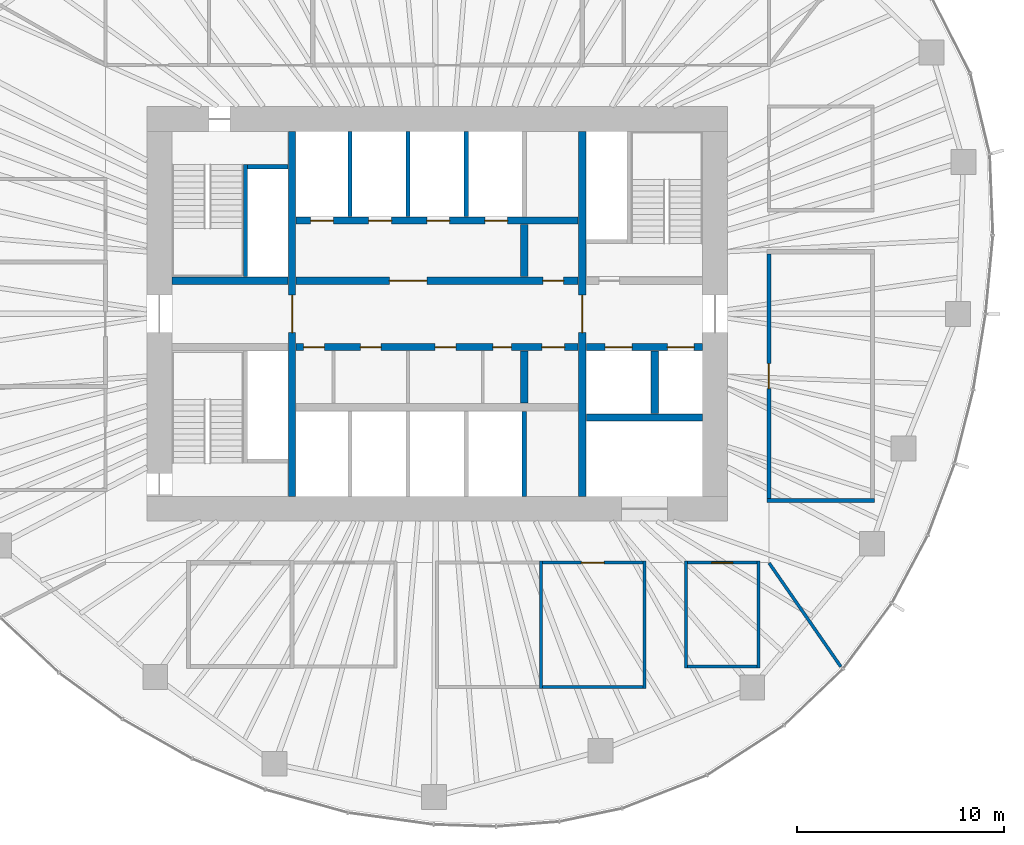
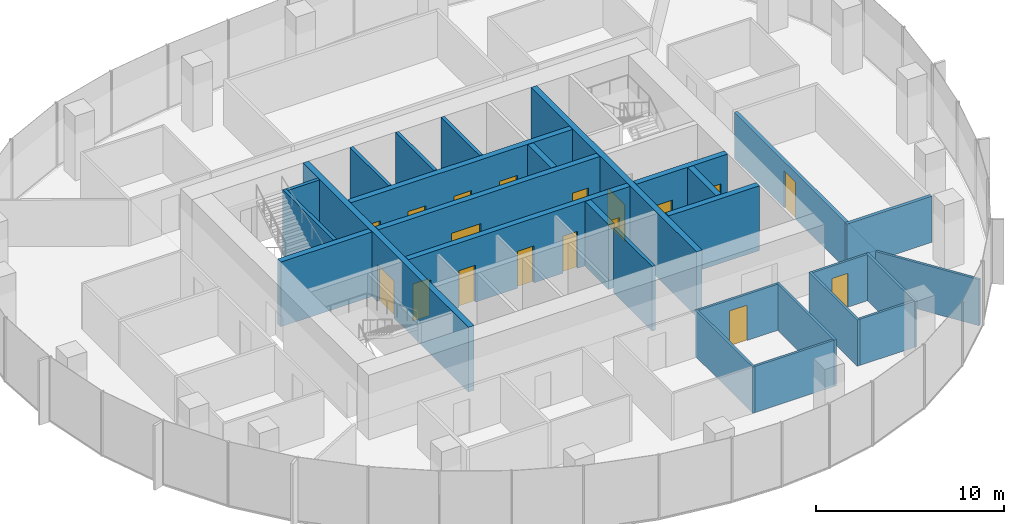
# One storey, part 9 of 11: 28 walls, 18 doors, 18 openings.
"""IFC4 building model written with IfcOpenShell, lengths in metres."""

from ifc_helpers import new_model, si_unit, direction, frame, frame_2d, origin, place, context, subcontext, project, spatial, rectangle, extrude, material, layer, layer_set, type_object, element, fill, save


model = new_model("IFC4")

# Units and contexts
model_context = context("Model", 3, precision=1e-05, world=origin(), true_north=direction((0.0, 1.0)))
body_context = subcontext(model_context, "Body", "Model", "MODEL_VIEW")
ifc_project = project(units=[si_unit("LENGTHUNIT", "METRE"), si_unit("AREAUNIT", "SQUARE_METRE"), si_unit("VOLUMEUNIT", "CUBIC_METRE"), si_unit("PLANEANGLEUNIT", "RADIAN"), si_unit("MASSUNIT", "GRAM", prefix="KILO")], contexts=[model_context])

# Site, building, storey
site_placement = place(None, origin())
site = spatial("IfcSite", under=ifc_project, at=site_placement, CompositionType="ELEMENT")
building_placement = place(site_placement, origin())
building = spatial("IfcBuilding", under=site, at=building_placement, Name="Ghaith Harvest Tower", CompositionType="ELEMENT")
storey_placement = place(building_placement, frame((0.0, 0.0, 257.800048828125)))
storey = spatial("IfcBuildingStorey", under=building, at=storey_placement, Name="L57", CompositionType="ELEMENT", Elevation=257.800048828125)

# Wall
ifc_material_1 = material(Name="Twin-stud gypsum board, acoustic", Category="gypsum")
ifc_layer_1 = layer(ifc_material_1, 0.199951171875)
ifc_layer_set_1 = layer_set([ifc_layer_1], Name="ACOUSTIC PARTITION 200")
wall_type_1 = type_object("IfcWallType", Name="ACOUSTIC PARTITION 200", PredefinedType="PARTITIONING", material=ifc_layer_set_1)
wall_1_placement = place(storey_placement, frame((15.89990234375, -9.0, 0.0), z_axis=(0.0, 0.0, 1.0), x_axis=(1.0, 0.0, 0.0)))
element("IfcWall", 1, at=wall_1_placement, inside=storey, type_object=wall_type_1, Name="Partition L57 row E4 cross wall 1", PredefinedType="PARTITIONING", context=body_context, shape_type="SweptSolid", body=[
    extrude(rectangle(XDim=5.2001953125, YDim=0.199951171875, at=frame_2d((2.60009765625, 0.0))), origin(), (0.0, 0.0, 1.0), 3.0),
])

# Wall, opening, door
wall_2_placement = place(storey_placement, frame((16.0, -8.89990234375, 0.0), z_axis=(0.0, 0.0, 1.0), x_axis=(0.0, 1.0, 0.0)))
wall_2 = element("IfcWall", 2, at=wall_2_placement, inside=storey, type_object=wall_type_1, Name="Partition L57-04", PredefinedType="PARTITIONING", context=body_context, shape_type="SweptSolid", body=[
    extrude(rectangle(XDim=11.7998046875, YDim=0.199951171875, at=frame_2d((5.89990234375, 0.0))), origin(), (0.0, 0.0, 1.0), 3.0),
])
opening_1_placement = place(wall_2_placement, frame((5.300048828125, 0.0, 0.0)))
opening_1 = element("IfcOpeningElement", 3, at=opening_1_placement, cuts=wall_2, Name="Opening 57-025", PredefinedType="OPENING", context=body_context, shape_type="SweptSolid", body=[
    extrude(rectangle(XDim=1.199951171875, YDim=2.39990234375, at=frame_2d((0.60009765625, 1.199951171875))), frame((0.0, 0.10986328125, 0.0), z_axis=(0.0, -1.0, 0.0), x_axis=(1.0, 0.0, 0.0)), (0.0, 0.0, 1.0), 0.219970703125),
])
ifc_material_2 = material(Name="Timber door", Category="wood")
door_type_1 = type_object("IfcDoorType", Name="D11 GLAZED 1200x2400", OperationType="SINGLE_SWING_LEFT", PredefinedType="DOOR", material=ifc_material_2)
door_1_placement = place(opening_1_placement, origin())
door_1 = element("IfcDoor", 4, at=door_1_placement, inside=storey, type_object=door_type_1, Name="Majlis reception room door", OperationType="SINGLE_SWING_LEFT", OverallHeight=2.39990234375, OverallWidth=1.199951171875, PredefinedType="DOOR", context=body_context, shape_type="SweptSolid", body=[
    extrude(rectangle(XDim=1.199951171875, YDim=2.39990234375, at=frame_2d((0.60009765625, 1.199951171875))), frame((0.0, 0.02490234375, 0.0), z_axis=(0.0, -1.0, 0.0), x_axis=(1.0, 0.0, 0.0)), (0.0, 0.0, 1.0), 0.050048828125),
])
fill(opening_1, door_1)

# Walls
ifc_material_3 = material(Name="Concrete blockwork, 2-hour", Category="masonry")
ifc_layer_2 = layer(ifc_material_3, 0.199951171875)
ifc_layer_set_2 = layer_set([ifc_layer_2], Name="LIFT SHAFT WALL 200")
wall_type_2 = type_object("IfcWallType", Name="LIFT SHAFT WALL 200", PredefinedType="PARTITIONING", material=ifc_layer_set_2)
for number, where, z_axis, x_axis, name in (
    (5, (-4.199951171875, 4.699951171875, 0.0), (0.0, 0.0, 1.0), (0.0, 1.0, 0.0), "Lift shaft wall L57"),
    (6, (-1.39990234375, 4.699951171875, 0.0), (0.0, 0.0, 1.0), (0.0, 1.0, 0.0), "Lift shaft wall L57"),
    (7, (1.39990234375, 4.699951171875, 0.0), (0.0, 0.0, 1.0), (0.0, 1.0, 0.0), "Lift shaft wall L57"),
    (8, (4.199951171875, -4.699951171875, 0.0), (0.0, 0.0, 1.0), (0.0, -1.0, 0.0), "Lift shaft wall L57"),
):
    element("IfcWall", number, at=place(storey_placement, frame(where, z_axis=z_axis, x_axis=x_axis)), inside=storey, type_object=wall_type_2, Name=name, PredefinedType="PARTITIONING", context=body_context, shape_type="SweptSolid", body=[
        extrude(rectangle(XDim=4.10009765625, YDim=0.199951171875, at=frame_2d((2.050048828125, 0.0))), origin(), (0.0, 0.0, 1.0), 4.199951171875),
    ])
ifc_material_4 = material(Name="Gypsum board on steel studs", Category="steel")
ifc_layer_3 = layer(ifc_material_4, 0.14990234375)
ifc_layer_set_3 = layer_set([ifc_layer_3], Name="PARTITION 150")
wall_type_3 = type_object("IfcWallType", Name="PARTITION 150", PredefinedType="PARTITIONING", material=ifc_layer_set_3)
for number, where, z_axis, x_axis, name in (
    (9, (5.0, -11.925048828125, 0.0), (0.0, 0.0, 1.0), (0.0, -1.0, 0.0), "Partition L57 row S6 cross wall 2"),
    (10, (10.0, -11.925048828125, 0.0), (0.0, 0.0, 1.0), (0.0, -1.0, 0.0), "Partition L57 row S6 cross wall 3"),
):
    element("IfcWall", number, at=place(storey_placement, frame(where, z_axis=z_axis, x_axis=x_axis)), inside=storey, type_object=wall_type_3, Name=name, PredefinedType="PARTITIONING", context=body_context, shape_type="SweptSolid", body=[
        extrude(rectangle(XDim=6.14990234375, YDim=0.14990234375, at=frame_2d((3.074951171875, 0.0))), origin(), (0.0, 0.0, 1.0), 3.0),
    ])

# Wall, opening, door
wall_3_placement = place(storey_placement, frame((5.074951171875, -12.0, 0.0), z_axis=(0.0, 0.0, 1.0), x_axis=(1.0, 0.0, 0.0)))
wall_3 = element("IfcWall", 11, at=wall_3_placement, inside=storey, type_object=wall_type_3, Name="Partition L57-08", PredefinedType="PARTITIONING", context=body_context, shape_type="SweptSolid", body=[
    extrude(rectangle(XDim=4.85009765625, YDim=0.14990234375, at=frame_2d((2.425048828125, 0.0))), origin(), (0.0, 0.0, 1.0), 3.0),
])
opening_2_placement = place(wall_3_placement, frame((1.875, 0.0, 0.0)))
opening_2 = element("IfcOpeningElement", 12, at=opening_2_placement, cuts=wall_3, Name="Opening 57-029", PredefinedType="OPENING", context=body_context, shape_type="SweptSolid", body=[
    extrude(rectangle(XDim=1.10009765625, YDim=2.300048828125, at=frame_2d((0.550048828125, 1.14990234375))), frame((0.0, 0.0849609375, 0.0), z_axis=(0.0, -1.0, 0.0), x_axis=(1.0, 0.0, 0.0)), (0.0, 0.0, 1.0), 0.169921875),
])
ifc_material_5 = material(Name="Timber-framed glazed door", Category="wood")
door_type_2 = type_object("IfcDoorType", Name="D12 GLAZED OFFICE 1100x2300", OperationType="SINGLE_SWING_LEFT", PredefinedType="DOOR", material=ifc_material_5)
door_2_placement = place(opening_2_placement, origin())
door_2 = element("IfcDoor", 13, at=door_2_placement, inside=storey, type_object=door_type_2, Name="Office door", OperationType="SINGLE_SWING_LEFT", OverallHeight=2.300048828125, OverallWidth=1.10009765625, PredefinedType="DOOR", context=body_context, shape_type="SweptSolid", body=[
    extrude(rectangle(XDim=1.10009765625, YDim=2.300048828125, at=frame_2d((0.550048828125, 1.14990234375))), frame((0.0, 0.02490234375, 0.0), z_axis=(0.0, -1.0, 0.0), x_axis=(1.0, 0.0, 0.0)), (0.0, 0.0, 1.0), 0.050048828125),
])
fill(opening_2, door_2)

# Walls
wall_4_placement = place(storey_placement, frame((5.074951171875, -18.0, 0.0), z_axis=(0.0, 0.0, 1.0), x_axis=(1.0, 0.0, 0.0)))
element("IfcWall", 14, at=wall_4_placement, inside=storey, type_object=wall_type_3, Name="Partition L57-08", PredefinedType="PARTITIONING", context=body_context, shape_type="SweptSolid", body=[
    extrude(rectangle(XDim=4.85009765625, YDim=0.14990234375, at=frame_2d((2.425048828125, 0.0))), origin(), (0.0, 0.0, 1.0), 3.0),
])
for number, where, z_axis, x_axis, name in (
    (15, (12.0, -11.925048828125, 0.0), (0.0, 0.0, 1.0), (0.0, -1.0, 0.0), "Partition L57 row S8 cross wall 1"),
    (16, (15.5, -11.925048828125, 0.0), (0.0, 0.0, 1.0), (0.0, -1.0, 0.0), "Partition L57 row S8 cross wall 2"),
):
    element("IfcWall", number, at=place(storey_placement, frame(where, z_axis=z_axis, x_axis=x_axis)), inside=storey, type_object=wall_type_3, Name=name, PredefinedType="PARTITIONING", context=body_context, shape_type="SweptSolid", body=[
        extrude(rectangle(XDim=5.14990234375, YDim=0.14990234375, at=frame_2d((2.574951171875, 0.0))), origin(), (0.0, 0.0, 1.0), 3.0),
    ])

# Wall, opening, door
wall_5_placement = place(storey_placement, frame((12.074951171875, -12.0, 0.0), z_axis=(0.0, 0.0, 1.0), x_axis=(1.0, 0.0, 0.0)))
wall_5 = element("IfcWall", 17, at=wall_5_placement, inside=storey, type_object=wall_type_3, Name="Partition L57-12", PredefinedType="PARTITIONING", context=body_context, shape_type="SweptSolid", body=[
    extrude(rectangle(XDim=3.35009765625, YDim=0.14990234375, at=frame_2d((1.675048828125, 0.0))), origin(), (0.0, 0.0, 1.0), 3.0),
])
opening_3_placement = place(wall_5_placement, frame((1.175048828125, 0.0, 0.0)))
opening_3 = element("IfcOpeningElement", 18, at=opening_3_placement, cuts=wall_5, Name="Opening 57-033", PredefinedType="OPENING", context=body_context, shape_type="SweptSolid", body=[
    extrude(rectangle(XDim=1.0, YDim=2.199951171875, at=frame_2d((0.5, 1.10009765625))), frame((0.0, 0.0849609375, 0.0), z_axis=(0.0, -1.0, 0.0), x_axis=(1.0, 0.0, 0.0)), (0.0, 0.0, 1.0), 0.169921875),
])
ifc_material_6 = material(Name="Timber door", Category="wood")
door_type_3 = type_object("IfcDoorType", Name="D1 SINGLE 1000x2200", OperationType="SINGLE_SWING_LEFT", PredefinedType="DOOR", material=ifc_material_6)
door_3_placement = place(opening_3_placement, origin())
door_3 = element("IfcDoor", 19, at=door_3_placement, inside=storey, type_object=door_type_3, Name="Store door", OperationType="SINGLE_SWING_LEFT", OverallHeight=2.199951171875, OverallWidth=1.0, PredefinedType="DOOR", context=body_context, shape_type="SweptSolid", body=[
    extrude(rectangle(XDim=1.0, YDim=2.199951171875, at=frame_2d((0.5, 1.10009765625))), frame((0.0, 0.02490234375, 0.0), z_axis=(0.0, -1.0, 0.0), x_axis=(1.0, 0.0, 0.0)), (0.0, 0.0, 1.0), 0.050048828125),
])
fill(opening_3, door_3)

# Walls
wall_6_placement = place(storey_placement, frame((12.074951171875, -17.0, 0.0), z_axis=(0.0, 0.0, 1.0), x_axis=(1.0, 0.0, 0.0)))
element("IfcWall", 20, at=wall_6_placement, inside=storey, type_object=wall_type_3, Name="Partition L57-12", PredefinedType="PARTITIONING", context=body_context, shape_type="SweptSolid", body=[
    extrude(rectangle(XDim=3.35009765625, YDim=0.14990234375, at=frame_2d((1.675048828125, 0.0))), origin(), (0.0, 0.0, 1.0), 3.0),
])
wall_7_placement = place(storey_placement, frame((16.011474609375, -12.016357421875, 0.0), z_axis=(0.0, 0.0, 1.0), x_axis=(0.568863489071, -0.822431961199, 0.0)))
element("IfcWall", 21, at=wall_7_placement, inside=storey, type_object=wall_type_3, Name="Partition L57 zone division", PredefinedType="PARTITIONING", context=body_context, shape_type="SweptSolid", body=[
    extrude(rectangle(XDim=6.0830078125, YDim=0.14990234375, at=frame_2d((3.04150390625, 0.0))), origin(), (0.0, 0.0, 1.0), 3.0),
])

# Wall, opening, door
ifc_material_7 = material(Name="Concrete C60/75", Category="concrete")
ifc_layer_4 = layer(ifc_material_7, 0.35009765625)
ifc_layer_set_4 = layer_set([ifc_layer_4], Name="SHAFT WALL 350")
wall_type_4 = type_object("IfcWallType", Name="SHAFT WALL 350", PredefinedType="SHEAR", material=ifc_layer_set_4)
wall_8_placement = place(storey_placement, frame((-7.0, -8.800048828125, 0.0), z_axis=(0.0, 0.0, 1.0), x_axis=(0.0, 1.0, 0.0)))
wall_8 = element("IfcWall", 22, at=wall_8_placement, inside=storey, type_object=wall_type_4, Name="Shaft wall W7W L57", PredefinedType="SHEAR", context=body_context, shape_type="SweptSolid", body=[
    extrude(rectangle(XDim=17.60009765625, YDim=0.35009765625, at=frame_2d((8.800048828125, 0.0))), origin(), (0.0, 0.0, 1.0), 4.199951171875),
])
opening_4_placement = place(wall_8_placement, frame((7.89990234375, 0.0, 0.0)))
opening_4 = element("IfcOpeningElement", 23, at=opening_4_placement, cuts=wall_8, Name="Opening 57-003", PredefinedType="OPENING", context=body_context, shape_type="SweptSolid", body=[
    extrude(rectangle(XDim=1.800048828125, YDim=2.39990234375, at=frame_2d((0.89990234375, 1.199951171875))), frame((0.0, 0.18505859375, 0.0), z_axis=(0.0, -1.0, 0.0), x_axis=(1.0, 0.0, 0.0)), (0.0, 0.0, 1.0), 0.3701171875),
])
ifc_material_8 = material(Name="Steel fire door", Category="steel")
door_type_4 = type_object("IfcDoorType", Name="D4 FD90 PAIR 1800x2400", OperationType="DOUBLE_DOOR_SINGLE_SWING", PredefinedType="DOOR", material=ifc_material_8)
door_4_placement = place(opening_4_placement, origin())
door_4 = element("IfcDoor", 24, at=door_4_placement, inside=storey, type_object=door_type_4, Name="Lift lobby doors, west", OperationType="DOUBLE_DOOR_SINGLE_SWING", OverallHeight=2.39990234375, OverallWidth=1.800048828125, PredefinedType="DOOR", context=body_context, shape_type="SweptSolid", body=[
    extrude(rectangle(XDim=1.800048828125, YDim=2.39990234375, at=frame_2d((0.89990234375, 1.199951171875))), frame((0.0, 0.02490234375, 0.0), z_axis=(0.0, -1.0, 0.0), x_axis=(1.0, 0.0, 0.0)), (0.0, 0.0, 1.0), 0.050048828125),
])
fill(opening_4, door_4)

wall_9_placement = place(storey_placement, frame((7.0, -8.800048828125, 0.0), z_axis=(0.0, 0.0, 1.0), x_axis=(0.0, 1.0, 0.0)))
wall_9 = element("IfcWall", 25, at=wall_9_placement, inside=storey, type_object=wall_type_4, Name="Shaft wall W7E L57", PredefinedType="SHEAR", context=body_context, shape_type="SweptSolid", body=[
    extrude(rectangle(XDim=17.60009765625, YDim=0.35009765625, at=frame_2d((8.800048828125, 0.0))), origin(), (0.0, 0.0, 1.0), 4.199951171875),
])
opening_5_placement = place(wall_9_placement, frame((7.89990234375, 0.0, 0.0)))
opening_5 = element("IfcOpeningElement", 26, at=opening_5_placement, cuts=wall_9, Name="Opening 57-004", PredefinedType="OPENING", context=body_context, shape_type="SweptSolid", body=[
    extrude(rectangle(XDim=1.800048828125, YDim=2.39990234375, at=frame_2d((0.89990234375, 1.199951171875))), frame((0.0, 0.18505859375, 0.0), z_axis=(0.0, -1.0, 0.0), x_axis=(1.0, 0.0, 0.0)), (0.0, 0.0, 1.0), 0.3701171875),
])
door_5_placement = place(opening_5_placement, origin())
door_5 = element("IfcDoor", 27, at=door_5_placement, inside=storey, type_object=door_type_4, Name="Lift lobby doors, east", OperationType="DOUBLE_DOOR_SINGLE_SWING", OverallHeight=2.39990234375, OverallWidth=1.800048828125, PredefinedType="DOOR", context=body_context, shape_type="SweptSolid", body=[
    extrude(rectangle(XDim=1.800048828125, YDim=2.39990234375, at=frame_2d((0.89990234375, 1.199951171875))), frame((0.0, 0.02490234375, 0.0), z_axis=(0.0, -1.0, 0.0), x_axis=(1.0, 0.0, 0.0)), (0.0, 0.0, 1.0), 0.050048828125),
])
fill(opening_5, door_5)

# Wall, openings, doors
wall_10_placement = place(storey_placement, frame((-6.800048828125, 1.60009765625, 0.0), z_axis=(0.0, 0.0, 1.0), x_axis=(1.0, 0.0, 0.0)))
wall_10 = element("IfcWall", 28, at=wall_10_placement, inside=storey, type_object=wall_type_4, Name="Shaft wall LN L57", PredefinedType="SHEAR", context=body_context, shape_type="SweptSolid", body=[
    extrude(rectangle(XDim=13.60009765625, YDim=0.35009765625, at=frame_2d((6.800048828125, 0.0))), origin(), (0.0, 0.0, 1.0), 4.199951171875),
])
opening_6_placement = place(wall_10_placement, frame((11.89990234375, 0.0, 0.0)))
opening_6 = element("IfcOpeningElement", 29, at=opening_6_placement, cuts=wall_10, Name="Opening 57-012", PredefinedType="OPENING", context=body_context, shape_type="SweptSolid", body=[
    extrude(rectangle(XDim=1.0, YDim=2.39990234375, at=frame_2d((0.5, 1.199951171875))), frame((0.0, 0.18505859375, 0.0), z_axis=(0.0, -1.0, 0.0), x_axis=(1.0, 0.0, 0.0)), (0.0, 0.0, 1.0), 0.3701171875),
])
opening_7_placement = place(wall_10_placement, frame((4.5, 0.0, 0.0)))
opening_7 = element("IfcOpeningElement", 30, at=opening_7_placement, cuts=wall_10, Name="Opening 57-014", PredefinedType="OPENING", context=body_context, shape_type="SweptSolid", body=[
    extrude(rectangle(XDim=1.800048828125, YDim=2.39990234375, at=frame_2d((0.89990234375, 1.199951171875))), frame((0.0, 0.18505859375, 0.0), z_axis=(0.0, -1.0, 0.0), x_axis=(1.0, 0.0, 0.0)), (0.0, 0.0, 1.0), 0.3701171875),
])
ifc_material_9 = material(Name="Steel fire door", Category="steel")
door_type_5 = type_object("IfcDoorType", Name="D3 FD90 1000x2400", OperationType="SINGLE_SWING_LEFT", PredefinedType="DOOR", material=ifc_material_9)
door_6_placement = place(opening_6_placement, origin())
door_6 = element("IfcDoor", 31, at=door_6_placement, inside=storey, type_object=door_type_5, Name="Electrical room door", OperationType="SINGLE_SWING_RIGHT", OverallHeight=2.39990234375, OverallWidth=1.0, PredefinedType="DOOR", context=body_context, shape_type="SweptSolid", body=[
    extrude(rectangle(XDim=1.0, YDim=2.39990234375, at=frame_2d((0.5, 1.199951171875))), frame((0.0, 0.02490234375, 0.0), z_axis=(0.0, -1.0, 0.0), x_axis=(1.0, 0.0, 0.0)), (0.0, 0.0, 1.0), 0.050048828125),
])
fill(opening_6, door_6)
door_7_placement = place(opening_7_placement, origin())
door_7 = element("IfcDoor", 32, at=door_7_placement, inside=storey, type_object=door_type_4, Name="Lift lobby doors, high-rise bank", OperationType="DOUBLE_DOOR_SINGLE_SWING", OverallHeight=2.39990234375, OverallWidth=1.800048828125, PredefinedType="DOOR", context=body_context, shape_type="SweptSolid", body=[
    extrude(rectangle(XDim=1.800048828125, YDim=2.39990234375, at=frame_2d((0.89990234375, 1.199951171875))), frame((0.0, 0.02490234375, 0.0), z_axis=(0.0, -1.0, 0.0), x_axis=(1.0, 0.0, 0.0)), (0.0, 0.0, 1.0), 0.050048828125),
])
fill(opening_7, door_7)

wall_11_placement = place(storey_placement, frame((-6.800048828125, -1.60009765625, 0.0), z_axis=(0.0, 0.0, 1.0), x_axis=(1.0, 0.0, 0.0)))
wall_11 = element("IfcWall", 33, at=wall_11_placement, inside=storey, type_object=wall_type_4, Name="Shaft wall LS L57", PredefinedType="SHEAR", context=body_context, shape_type="SweptSolid", body=[
    extrude(rectangle(XDim=13.60009765625, YDim=0.35009765625, at=frame_2d((6.800048828125, 0.0))), origin(), (0.0, 0.0, 1.0), 4.199951171875),
])
opening_8_placement = place(wall_11_placement, frame((0.364990234375, 0.0, 0.0)))
opening_8 = element("IfcOpeningElement", 34, at=opening_8_placement, cuts=wall_11, Name="Opening 57-008", PredefinedType="OPENING", context=body_context, shape_type="SweptSolid", body=[
    extrude(rectangle(XDim=1.0, YDim=2.39990234375, at=frame_2d((0.5, 1.199951171875))), frame((0.0, 0.18505859375, 0.0), z_axis=(0.0, -1.0, 0.0), x_axis=(1.0, 0.0, 0.0)), (0.0, 0.0, 1.0), 0.3701171875),
])
opening_9_placement = place(wall_11_placement, frame((3.10009765625, 0.0, 0.0)))
opening_9 = element("IfcOpeningElement", 35, at=opening_9_placement, cuts=wall_11, Name="Opening 57-009", PredefinedType="OPENING", context=body_context, shape_type="SweptSolid", body=[
    extrude(rectangle(XDim=1.0, YDim=2.39990234375, at=frame_2d((0.5, 1.199951171875))), frame((0.0, 0.18505859375, 0.0), z_axis=(0.0, -1.0, 0.0), x_axis=(1.0, 0.0, 0.0)), (0.0, 0.0, 1.0), 0.3701171875),
])
opening_10_placement = place(wall_11_placement, frame((6.699951171875, 0.0, 0.0)))
opening_10 = element("IfcOpeningElement", 36, at=opening_10_placement, cuts=wall_11, Name="Opening 57-010", PredefinedType="OPENING", context=body_context, shape_type="SweptSolid", body=[
    extrude(rectangle(XDim=1.0, YDim=2.39990234375, at=frame_2d((0.5, 1.199951171875))), frame((0.0, 0.18505859375, 0.0), z_axis=(0.0, -1.0, 0.0), x_axis=(1.0, 0.0, 0.0)), (0.0, 0.0, 1.0), 0.3701171875),
])
opening_11_placement = place(wall_11_placement, frame((9.485107421875, 0.0, 0.0)))
opening_11 = element("IfcOpeningElement", 37, at=opening_11_placement, cuts=wall_11, Name="Opening 57-011", PredefinedType="OPENING", context=body_context, shape_type="SweptSolid", body=[
    extrude(rectangle(XDim=0.89990234375, YDim=2.39990234375, at=frame_2d((0.449951171875, 1.199951171875))), frame((0.0, 0.18505859375, 0.0), z_axis=(0.0, -1.0, 0.0), x_axis=(1.0, 0.0, 0.0)), (0.0, 0.0, 1.0), 0.3701171875),
])
opening_12_placement = place(wall_11_placement, frame((11.85009765625, 0.0, 0.0)))
opening_12 = element("IfcOpeningElement", 38, at=opening_12_placement, cuts=wall_11, Name="Opening 57-013", PredefinedType="OPENING", context=body_context, shape_type="SweptSolid", body=[
    extrude(rectangle(XDim=1.10009765625, YDim=2.39990234375, at=frame_2d((0.550048828125, 1.199951171875))), frame((0.0, 0.18505859375, 0.0), z_axis=(0.0, -1.0, 0.0), x_axis=(1.0, 0.0, 0.0)), (0.0, 0.0, 1.0), 0.3701171875),
])
door_8_placement = place(opening_8_placement, origin())
door_8 = element("IfcDoor", 39, at=door_8_placement, inside=storey, type_object=door_type_5, Name="Tenant store door", OperationType="SINGLE_SWING_LEFT", OverallHeight=2.39990234375, OverallWidth=1.0, PredefinedType="DOOR", context=body_context, shape_type="SweptSolid", body=[
    extrude(rectangle(XDim=1.0, YDim=2.39990234375, at=frame_2d((0.5, 1.199951171875))), frame((0.0, 0.02490234375, 0.0), z_axis=(0.0, -1.0, 0.0), x_axis=(1.0, 0.0, 0.0)), (0.0, 0.0, 1.0), 0.050048828125),
])
fill(opening_8, door_8)
door_9_placement = place(opening_9_placement, origin())
door_9 = element("IfcDoor", 40, at=door_9_placement, inside=storey, type_object=door_type_5, Name="Female WC door", OperationType="SINGLE_SWING_LEFT", OverallHeight=2.39990234375, OverallWidth=1.0, PredefinedType="DOOR", context=body_context, shape_type="SweptSolid", body=[
    extrude(rectangle(XDim=1.0, YDim=2.39990234375, at=frame_2d((0.5, 1.199951171875))), frame((0.0, 0.02490234375, 0.0), z_axis=(0.0, -1.0, 0.0), x_axis=(1.0, 0.0, 0.0)), (0.0, 0.0, 1.0), 0.050048828125),
])
fill(opening_9, door_9)
door_10_placement = place(opening_10_placement, origin())
door_10 = element("IfcDoor", 41, at=door_10_placement, inside=storey, type_object=door_type_5, Name="Male WC door", OperationType="SINGLE_SWING_RIGHT", OverallHeight=2.39990234375, OverallWidth=1.0, PredefinedType="DOOR", context=body_context, shape_type="SweptSolid", body=[
    extrude(rectangle(XDim=1.0, YDim=2.39990234375, at=frame_2d((0.5, 1.199951171875))), frame((0.0, 0.02490234375, 0.0), z_axis=(0.0, -1.0, 0.0), x_axis=(1.0, 0.0, 0.0)), (0.0, 0.0, 1.0), 0.050048828125),
])
fill(opening_10, door_10)
ifc_material_10 = material(Name="Steel fire door", Category="steel")
door_type_6 = type_object("IfcDoorType", Name="D5 FD90 900x2400", OperationType="SINGLE_SWING_LEFT", PredefinedType="DOOR", material=ifc_material_10)
door_11_placement = place(opening_11_placement, origin())
door_11 = element("IfcDoor", 42, at=door_11_placement, inside=storey, type_object=door_type_6, Name="Cleaner's store door", OperationType="SINGLE_SWING_RIGHT", OverallHeight=2.39990234375, OverallWidth=0.89990234375, PredefinedType="DOOR", context=body_context, shape_type="SweptSolid", body=[
    extrude(rectangle(XDim=0.89990234375, YDim=2.39990234375, at=frame_2d((0.449951171875, 1.199951171875))), frame((0.0, 0.02490234375, 0.0), z_axis=(0.0, -1.0, 0.0), x_axis=(1.0, 0.0, 0.0)), (0.0, 0.0, 1.0), 0.050048828125),
])
fill(opening_11, door_11)
ifc_material_11 = material(Name="Steel fire door", Category="steel")
door_type_7 = type_object("IfcDoorType", Name="D9 FD90 1100x2400", OperationType="SINGLE_SWING_LEFT", PredefinedType="DOOR", material=ifc_material_11)
door_12_placement = place(opening_12_placement, origin())
door_12 = element("IfcDoor", 43, at=door_12_placement, inside=storey, type_object=door_type_7, Name="Accessible WC door", OperationType="SINGLE_SWING_RIGHT", OverallHeight=2.39990234375, OverallWidth=1.10009765625, PredefinedType="DOOR", context=body_context, shape_type="SweptSolid", body=[
    extrude(rectangle(XDim=1.10009765625, YDim=2.39990234375, at=frame_2d((0.550048828125, 1.199951171875))), frame((0.0, 0.02490234375, 0.0), z_axis=(0.0, -1.0, 0.0), x_axis=(1.0, 0.0, 0.0)), (0.0, 0.0, 1.0), 0.050048828125),
])
fill(opening_12, door_12)

wall_12_placement = place(storey_placement, frame((-6.800048828125, 4.5, 0.0), z_axis=(0.0, 0.0, 1.0), x_axis=(1.0, 0.0, 0.0)))
wall_12 = element("IfcWall", 44, at=wall_12_placement, inside=storey, type_object=wall_type_4, Name="Shaft wall BN L57", PredefinedType="SHEAR", context=body_context, shape_type="SweptSolid", body=[
    extrude(rectangle(XDim=13.60009765625, YDim=0.35009765625, at=frame_2d((6.800048828125, 0.0))), origin(), (0.0, 0.0, 1.0), 4.199951171875),
])
opening_13_placement = place(wall_12_placement, frame((0.699951171875, 0.0, 0.0)))
opening_13 = element("IfcOpeningElement", 45, at=opening_13_placement, cuts=wall_12, Name="Opening 57-015", PredefinedType="OPENING", context=body_context, shape_type="SweptSolid", body=[
    extrude(rectangle(XDim=1.10009765625, YDim=2.39990234375, at=frame_2d((0.550048828125, 1.199951171875))), frame((0.0, 0.18505859375, 0.0), z_axis=(0.0, -1.0, 0.0), x_axis=(1.0, 0.0, 0.0)), (0.0, 0.0, 1.0), 0.3701171875),
])
opening_14_placement = place(wall_12_placement, frame((3.5, 0.0, 0.0)))
opening_14 = element("IfcOpeningElement", 46, at=opening_14_placement, cuts=wall_12, Name="Opening 57-016", PredefinedType="OPENING", context=body_context, shape_type="SweptSolid", body=[
    extrude(rectangle(XDim=1.10009765625, YDim=2.39990234375, at=frame_2d((0.550048828125, 1.199951171875))), frame((0.0, 0.18505859375, 0.0), z_axis=(0.0, -1.0, 0.0), x_axis=(1.0, 0.0, 0.0)), (0.0, 0.0, 1.0), 0.3701171875),
])
opening_15_placement = place(wall_12_placement, frame((6.300048828125, 0.0, 0.0)))
opening_15 = element("IfcOpeningElement", 47, at=opening_15_placement, cuts=wall_12, Name="Opening 57-017", PredefinedType="OPENING", context=body_context, shape_type="SweptSolid", body=[
    extrude(rectangle(XDim=1.10009765625, YDim=2.39990234375, at=frame_2d((0.550048828125, 1.199951171875))), frame((0.0, 0.18505859375, 0.0), z_axis=(0.0, -1.0, 0.0), x_axis=(1.0, 0.0, 0.0)), (0.0, 0.0, 1.0), 0.3701171875),
])
opening_16_placement = place(wall_12_placement, frame((9.10009765625, 0.0, 0.0)))
opening_16 = element("IfcOpeningElement", 48, at=opening_16_placement, cuts=wall_12, Name="Opening 57-018", PredefinedType="OPENING", context=body_context, shape_type="SweptSolid", body=[
    extrude(rectangle(XDim=1.10009765625, YDim=2.39990234375, at=frame_2d((0.550048828125, 1.199951171875))), frame((0.0, 0.18505859375, 0.0), z_axis=(0.0, -1.0, 0.0), x_axis=(1.0, 0.0, 0.0)), (0.0, 0.0, 1.0), 0.3701171875),
])
ifc_material_12 = material(Name="Steel fire door", Category="steel")
door_type_8 = type_object("IfcDoorType", Name="LD1 LANDING 1100x2400", OperationType="DOUBLE_DOOR_SLIDING", PredefinedType="DOOR", material=ifc_material_12)
door_13_placement = place(opening_13_placement, origin())
door_13 = element("IfcDoor", 49, at=door_13_placement, inside=storey, type_object=door_type_8, Name="Landing door, lift HR1", OperationType="DOUBLE_DOOR_SLIDING", OverallHeight=2.39990234375, OverallWidth=1.10009765625, PredefinedType="DOOR", context=body_context, shape_type="SweptSolid", body=[
    extrude(rectangle(XDim=1.10009765625, YDim=2.39990234375, at=frame_2d((0.550048828125, 1.199951171875))), frame((0.0, 0.02490234375, 0.0), z_axis=(0.0, -1.0, 0.0), x_axis=(1.0, 0.0, 0.0)), (0.0, 0.0, 1.0), 0.050048828125),
])
fill(opening_13, door_13)
door_14_placement = place(opening_14_placement, origin())
door_14 = element("IfcDoor", 50, at=door_14_placement, inside=storey, type_object=door_type_8, Name="Landing door, lift HR2", OperationType="DOUBLE_DOOR_SLIDING", OverallHeight=2.39990234375, OverallWidth=1.10009765625, PredefinedType="DOOR", context=body_context, shape_type="SweptSolid", body=[
    extrude(rectangle(XDim=1.10009765625, YDim=2.39990234375, at=frame_2d((0.550048828125, 1.199951171875))), frame((0.0, 0.02490234375, 0.0), z_axis=(0.0, -1.0, 0.0), x_axis=(1.0, 0.0, 0.0)), (0.0, 0.0, 1.0), 0.050048828125),
])
fill(opening_14, door_14)
door_15_placement = place(opening_15_placement, origin())
door_15 = element("IfcDoor", 51, at=door_15_placement, inside=storey, type_object=door_type_8, Name="Landing door, lift HR3", OperationType="DOUBLE_DOOR_SLIDING", OverallHeight=2.39990234375, OverallWidth=1.10009765625, PredefinedType="DOOR", context=body_context, shape_type="SweptSolid", body=[
    extrude(rectangle(XDim=1.10009765625, YDim=2.39990234375, at=frame_2d((0.550048828125, 1.199951171875))), frame((0.0, 0.02490234375, 0.0), z_axis=(0.0, -1.0, 0.0), x_axis=(1.0, 0.0, 0.0)), (0.0, 0.0, 1.0), 0.050048828125),
])
fill(opening_15, door_15)
door_16_placement = place(opening_16_placement, origin())
door_16 = element("IfcDoor", 52, at=door_16_placement, inside=storey, type_object=door_type_8, Name="Landing door, lift HR4", OperationType="DOUBLE_DOOR_SLIDING", OverallHeight=2.39990234375, OverallWidth=1.10009765625, PredefinedType="DOOR", context=body_context, shape_type="SweptSolid", body=[
    extrude(rectangle(XDim=1.10009765625, YDim=2.39990234375, at=frame_2d((0.550048828125, 1.199951171875))), frame((0.0, 0.02490234375, 0.0), z_axis=(0.0, -1.0, 0.0), x_axis=(1.0, 0.0, 0.0)), (0.0, 0.0, 1.0), 0.050048828125),
])
fill(opening_16, door_16)

# Wall
wall_13_placement = place(storey_placement, frame((-12.800048828125, 1.60009765625, 0.0), z_axis=(0.0, 0.0, 1.0), x_axis=(1.0, 0.0, 0.0)))
element("IfcWall", 53, at=wall_13_placement, inside=storey, type_object=wall_type_4, Name="Shaft wall WN L57", PredefinedType="SHEAR", context=body_context, shape_type="SweptSolid", body=[
    extrude(rectangle(XDim=5.60009765625, YDim=0.35009765625, at=frame_2d((2.800048828125, 0.0))), origin(), (0.0, 0.0, 1.0), 4.199951171875),
])

# Wall, openings, doors
wall_14_placement = place(storey_placement, frame((7.199951171875, -1.60009765625, 0.0), z_axis=(0.0, 0.0, 1.0), x_axis=(1.0, 0.0, 0.0)))
wall_14 = element("IfcWall", 54, at=wall_14_placement, inside=storey, type_object=wall_type_4, Name="Shaft wall ES L57", PredefinedType="SHEAR", context=body_context, shape_type="SweptSolid", body=[
    extrude(rectangle(XDim=5.60009765625, YDim=0.35009765625, at=frame_2d((2.800048828125, 0.0))), origin(), (0.0, 0.0, 1.0), 4.199951171875),
])
opening_17_placement = place(wall_14_placement, frame((0.89990234375, 0.0, 0.0)))
opening_17 = element("IfcOpeningElement", 55, at=opening_17_placement, cuts=wall_14, Name="Opening 57-019", PredefinedType="OPENING", context=body_context, shape_type="SweptSolid", body=[
    extrude(rectangle(XDim=1.300048828125, YDim=2.39990234375, at=frame_2d((0.64990234375, 1.199951171875))), frame((0.0, 0.18505859375, 0.0), z_axis=(0.0, -1.0, 0.0), x_axis=(1.0, 0.0, 0.0)), (0.0, 0.0, 1.0), 0.3701171875),
])
opening_18_placement = place(wall_14_placement, frame((3.89990234375, 0.0, 0.0)))
opening_18 = element("IfcOpeningElement", 56, at=opening_18_placement, cuts=wall_14, Name="Opening 57-020", PredefinedType="OPENING", context=body_context, shape_type="SweptSolid", body=[
    extrude(rectangle(XDim=1.300048828125, YDim=2.39990234375, at=frame_2d((0.64990234375, 1.199951171875))), frame((0.0, 0.18505859375, 0.0), z_axis=(0.0, -1.0, 0.0), x_axis=(1.0, 0.0, 0.0)), (0.0, 0.0, 1.0), 0.3701171875),
])
ifc_material_13 = material(Name="Steel fire door", Category="steel")
door_type_9 = type_object("IfcDoorType", Name="LD2 LANDING 1300x2400", OperationType="DOUBLE_DOOR_SLIDING", PredefinedType="DOOR", material=ifc_material_13)
door_17_placement = place(opening_17_placement, origin())
door_17 = element("IfcDoor", 57, at=door_17_placement, inside=storey, type_object=door_type_9, Name="Landing door, fire service lift FL1", OperationType="DOUBLE_DOOR_SLIDING", OverallHeight=2.39990234375, OverallWidth=1.300048828125, PredefinedType="DOOR", context=body_context, shape_type="SweptSolid", body=[
    extrude(rectangle(XDim=1.300048828125, YDim=2.39990234375, at=frame_2d((0.64990234375, 1.199951171875))), frame((0.0, 0.02490234375, 0.0), z_axis=(0.0, -1.0, 0.0), x_axis=(1.0, 0.0, 0.0)), (0.0, 0.0, 1.0), 0.050048828125),
])
fill(opening_17, door_17)
door_18_placement = place(opening_18_placement, origin())
door_18 = element("IfcDoor", 58, at=door_18_placement, inside=storey, type_object=door_type_9, Name="Landing door, fire service lift FL2", OperationType="DOUBLE_DOOR_SLIDING", OverallHeight=2.39990234375, OverallWidth=1.300048828125, PredefinedType="DOOR", context=body_context, shape_type="SweptSolid", body=[
    extrude(rectangle(XDim=1.300048828125, YDim=2.39990234375, at=frame_2d((0.64990234375, 1.199951171875))), frame((0.0, 0.02490234375, 0.0), z_axis=(0.0, -1.0, 0.0), x_axis=(1.0, 0.0, 0.0)), (0.0, 0.0, 1.0), 0.050048828125),
])
fill(opening_18, door_18)

# Walls
wall_15_placement = place(storey_placement, frame((10.5, -4.800048828125, 0.0), z_axis=(0.0, 0.0, 1.0), x_axis=(0.0, 1.0, 0.0)))
element("IfcWall", 59, at=wall_15_placement, inside=storey, type_object=wall_type_4, Name="Shaft wall FLD L57", PredefinedType="SHEAR", context=body_context, shape_type="SweptSolid", body=[
    extrude(rectangle(XDim=3.0, YDim=0.35009765625, at=frame_2d((1.5, 0.0))), origin(), (0.0, 0.0, 1.0), 4.199951171875),
])
wall_16_placement = place(storey_placement, frame((7.199951171875, -5.0, 0.0), z_axis=(0.0, 0.0, 1.0), x_axis=(1.0, 0.0, 0.0)))
element("IfcWall", 60, at=wall_16_placement, inside=storey, type_object=wall_type_4, Name="Shaft wall FLB L57", PredefinedType="SHEAR", context=body_context, shape_type="SweptSolid", body=[
    extrude(rectangle(XDim=5.60009765625, YDim=0.35009765625, at=frame_2d((2.800048828125, 0.0))), origin(), (0.0, 0.0, 1.0), 4.199951171875),
])
for number, where, z_axis, x_axis, name in (
    (61, (4.199951171875, 1.800048828125, 0.0), (0.0, 0.0, 1.0), (0.0, 1.0, 0.0), "Shaft wall DN4 L57"),
    (62, (4.199951171875, -4.300048828125, 0.0), (0.0, 0.0, 1.0), (0.0, 1.0, 0.0), "Shaft wall DS4 L57"),
):
    element("IfcWall", number, at=place(storey_placement, frame(where, z_axis=z_axis, x_axis=x_axis)), inside=storey, type_object=wall_type_4, Name=name, PredefinedType="SHEAR", context=body_context, shape_type="SweptSolid", body=[
        extrude(rectangle(XDim=2.5, YDim=0.35009765625, at=frame_2d((1.25, 0.0))), origin(), (0.0, 0.0, 1.0), 4.199951171875),
    ])
ifc_material_14 = material(Name="Concrete C40/50", Category="concrete")
ifc_layer_5 = layer(ifc_material_14, 0.199951171875)
ifc_layer_set_5 = layer_set([ifc_layer_5], Name="STAIR SPINE WALL RC200")
wall_type_5 = type_object("IfcWallType", Name="STAIR SPINE WALL RC200", PredefinedType="SOLIDWALL", material=ifc_layer_set_5)
wall_17_placement = place(storey_placement, frame((-9.25, 7.199951171875, 0.0), z_axis=(0.0, 0.0, 1.0), x_axis=(0.0, -1.0, 0.0)))
element("IfcWall", 63, at=wall_17_placement, inside=storey, type_object=wall_type_5, Name="Stair ST1 spine wall L57", PredefinedType="SOLIDWALL", context=body_context, shape_type="SweptSolid", body=[
    extrude(rectangle(XDim=5.39990234375, YDim=0.199951171875, at=frame_2d((2.699951171875, 0.0))), origin(), (0.0, 0.0, 1.0), 4.199951171875),
])
wall_18_placement = place(storey_placement, frame((-9.14990234375, 7.10009765625, 0.0), z_axis=(0.0, 0.0, 1.0), x_axis=(1.0, 0.0, 0.0)))
element("IfcWall", 64, at=wall_18_placement, inside=storey, type_object=wall_type_5, Name="Stair ST1 spine wall return L57", PredefinedType="SOLIDWALL", context=body_context, shape_type="SweptSolid", body=[
    extrude(rectangle(XDim=1.949951171875, YDim=0.199951171875, at=frame_2d((0.97509765625, 0.0))), origin(), (0.0, 0.0, 1.0), 4.199951171875),
])

save(model, "model.ifc")
